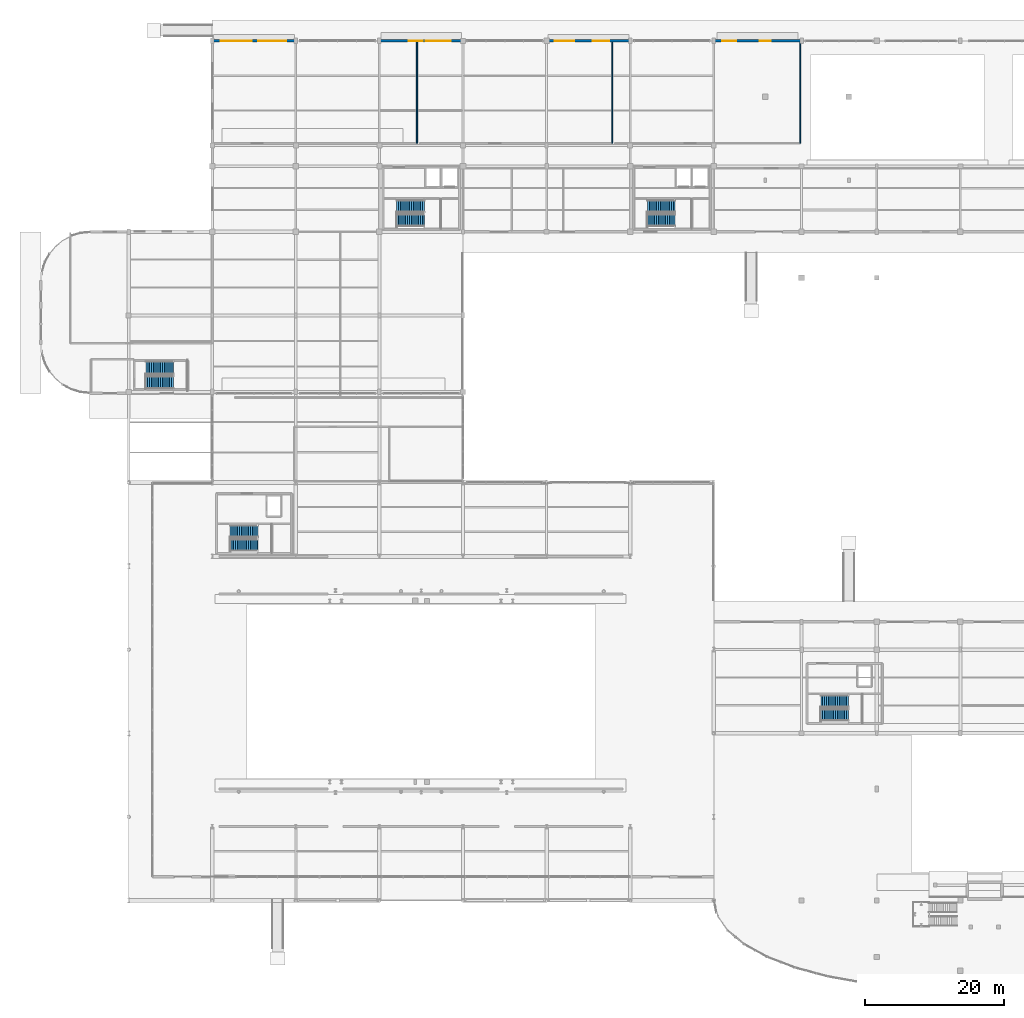
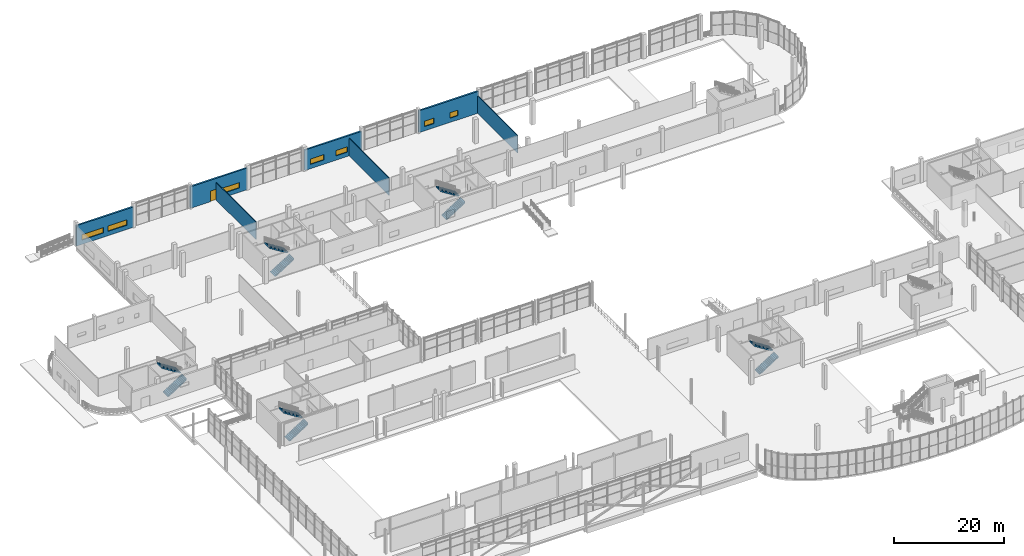
# One storey, part 67 of 85: 10 stair flights, 7 walls, 7 windows, 1 door, 8 openings, 5 elements without a shape of their own.
"""IFC4 building model written with IfcOpenShell, lengths in metres."""

from ifc_helpers import new_model, si_unit, direction, frame, frame_2d, origin, place, context, subcontext, project, spatial, polyline, rectangle, outline, extrude, material, layer, layer_set, type_object, element, fill, aggregate, save


model = new_model("IFC4")

# Units and contexts
model_context = context("Model", 3, precision=1e-05, world=origin(), true_north=direction((0.0, 1.0)))
body_context = subcontext(model_context, "Body", "Model", "MODEL_VIEW")
ifc_project = project(units=[si_unit("LENGTHUNIT", "METRE"), si_unit("AREAUNIT", "SQUARE_METRE"), si_unit("VOLUMEUNIT", "CUBIC_METRE"), si_unit("PLANEANGLEUNIT", "RADIAN"), si_unit("MASSUNIT", "GRAM", prefix="KILO"), si_unit("THERMODYNAMICTEMPERATUREUNIT", "KELVIN"), si_unit("POWERUNIT", "WATT")], contexts=[model_context])

# Site, building, storey
site_placement = place(None, origin())
site = spatial("IfcSite", under=ifc_project, at=site_placement, CompositionType="ELEMENT")
building_placement = place(site_placement, origin())
building = spatial("IfcBuilding", under=site, at=building_placement, Name="Solmara Park Aquatics Centre", CompositionType="ELEMENT")
storey_placement = place(building_placement, origin())
storey = spatial("IfcBuildingStorey", under=building, at=storey_placement, Name="L00", CompositionType="ELEMENT", Elevation=0.0)

# Wall, openings, windows
ifc_material_1 = material(Name="Insulated Limestone Render Wall", Category="masonry")
ifc_layer_1 = layer(ifc_material_1, 0.35009765625, Name="Insulated Limestone Render Wall")
ifc_layer_set_1 = layer_set([ifc_layer_1], Name="Insulated Limestone Render Wall")
wall_type_1 = type_object("IfcWallType", Name="ARC-WL-EXT350", PredefinedType="SOLIDWALL", material=ifc_layer_set_1)
wall_1_placement = place(storey_placement, frame((24.60009765625, 136.0, 0.0), z_axis=(0.0, 0.0, 1.0), x_axis=(1.0, 0.0, 0.0)))
wall_1 = element("IfcWall", 1, at=wall_1_placement, inside=storey, type_object=wall_type_1, Name="Exterior Facade Wall EW-L00-017", PredefinedType="SOLIDWALL", context=body_context, shape_type="SweptSolid", body=[
    extrude(rectangle(XDim=12.0, YDim=0.35009765625, at=frame_2d((6.0, 0.0))), origin(), (0.0, 0.0, 1.0), 4.530029296875),
])
opening_1_placement = place(wall_1_placement, frame((1.199951171875, 0.0, 0.949951171875)))
opening_1 = element("IfcOpeningElement", 2, at=opening_1_placement, cuts=wall_1, Name="Opening W-01", PredefinedType="OPENING", context=body_context, shape_type="SweptSolid", body=[
    extrude(rectangle(XDim=4.5, YDim=1.199951171875, at=frame_2d((2.25, 0.60009765625))), frame((0.0, 0.18505859375, 0.0), z_axis=(0.0, -1.0, 0.0), x_axis=(1.0, 0.0, 0.0)), (0.0, 0.0, 1.0), 0.3701171875),
])
opening_2_placement = place(wall_1_placement, frame((6.60009765625, 0.0, 0.949951171875)))
opening_2 = element("IfcOpeningElement", 3, at=opening_2_placement, cuts=wall_1, Name="Opening W-02", PredefinedType="OPENING", context=body_context, shape_type="SweptSolid", body=[
    extrude(rectangle(XDim=4.0, YDim=1.199951171875, at=frame_2d((2.0, 0.60009765625))), frame((0.0, 0.18505859375, 0.0), z_axis=(0.0, -1.0, 0.0), x_axis=(1.0, 0.0, 0.0)), (0.0, 0.0, 1.0), 0.3701171875),
])
ifc_material_2 = material(Name="Thermally Broken Aluminium and Low-E Double Glazing", Category="aluminium")
window_type_1 = type_object("IfcWindowType", Name="ARC-WN-400x120", PartitioningType="TRIPLE_PANEL_HORIZONTAL", PredefinedType="WINDOW", material=ifc_material_2)
window_1_placement = place(opening_2_placement, origin())
window_1 = element("IfcWindow", 4, at=window_1_placement, inside=storey, type_object=window_type_1, Name="Ribbon Window WN-042", OverallHeight=1.199951171875, OverallWidth=4.0, PartitioningType="TRIPLE_PANEL_HORIZONTAL", PredefinedType="WINDOW", context=body_context, shape_type="SweptSolid", body=[
    extrude(rectangle(XDim=4.0, YDim=1.199951171875, at=frame_2d((2.0, 0.60009765625))), frame((0.0, 0.030029296875, 0.0), z_axis=(0.0, -1.0, 0.0), x_axis=(1.0, 0.0, 0.0)), (0.0, 0.0, 1.0), 0.06005859375),
])
fill(opening_2, window_1)
window_type_2 = type_object("IfcWindowType", Name="ARC-WN-450x120", PartitioningType="TRIPLE_PANEL_HORIZONTAL", PredefinedType="WINDOW", material=ifc_material_2)
window_2_placement = place(opening_1_placement, origin())
window_2 = element("IfcWindow", 5, at=window_2_placement, inside=storey, type_object=window_type_2, Name="Ribbon Window WN-041", OverallHeight=1.199951171875, OverallWidth=4.5, PartitioningType="TRIPLE_PANEL_HORIZONTAL", PredefinedType="WINDOW", context=body_context, shape_type="SweptSolid", body=[
    extrude(rectangle(XDim=4.5, YDim=1.199951171875, at=frame_2d((2.25, 0.60009765625))), frame((0.0, 0.030029296875, 0.0), z_axis=(0.0, -1.0, 0.0), x_axis=(1.0, 0.0, 0.0)), (0.0, 0.0, 1.0), 0.06005859375),
])
fill(opening_1, window_2)

# Wall, openings, door, window
wall_2_placement = place(storey_placement, frame((48.60009765625, 136.0, 0.0), z_axis=(0.0, 0.0, 1.0), x_axis=(1.0, 0.0, 0.0)))
wall_2 = element("IfcWall", 6, at=wall_2_placement, inside=storey, type_object=wall_type_1, Name="Exterior Facade Wall EW-L00-018", PredefinedType="SOLIDWALL", context=body_context, shape_type="SweptSolid", body=[
    extrude(rectangle(XDim=12.0, YDim=0.35009765625, at=frame_2d((6.0, 0.0))), origin(), (0.0, 0.0, 1.0), 4.7900390625),
])
opening_3_placement = place(wall_2_placement, frame((4.199951171875, 0.0, 0.0)))
opening_3 = element("IfcOpeningElement", 7, at=opening_3_placement, cuts=wall_2, Name="Opening D-02", PredefinedType="OPENING", context=body_context, shape_type="SweptSolid", body=[
    extrude(rectangle(XDim=2.0, YDim=2.39990234375, at=frame_2d((1.0, 1.199951171875))), frame((0.0, 0.18505859375, 0.0), z_axis=(0.0, -1.0, 0.0), x_axis=(1.0, 0.0, 0.0)), (0.0, 0.0, 1.0), 0.3701171875),
])
opening_4_placement = place(wall_2_placement, frame((6.64990234375, 0.0, 0.949951171875)))
opening_4 = element("IfcOpeningElement", 8, at=opening_4_placement, cuts=wall_2, Name="Opening W-03", PredefinedType="OPENING", context=body_context, shape_type="SweptSolid", body=[
    extrude(rectangle(XDim=3.60009765625, YDim=1.199951171875, at=frame_2d((1.800048828125, 0.60009765625))), frame((0.0, 0.18505859375, 0.0), z_axis=(0.0, -1.0, 0.0), x_axis=(1.0, 0.0, 0.0)), (0.0, 0.0, 1.0), 0.3701171875),
])
ifc_material_3 = material(Name="Thermally Broken Powder-Coated Aluminium and Laminated Glass", Category="aluminium")
door_type = type_object("IfcDoorType", Name="ARC-DR-EXT200x240", OperationType="DOUBLE_DOOR_SINGLE_SWING", PredefinedType="DOOR", material=ifc_material_3)
door_placement = place(opening_3_placement, origin())
door = element("IfcDoor", 9, at=door_placement, inside=storey, type_object=door_type, Name="North Boulevard CORE-1 Final Exit (EX-15)", OperationType="DOUBLE_DOOR_SINGLE_SWING", OverallHeight=2.39990234375, OverallWidth=2.0, PredefinedType="DOOR", context=body_context, shape_type="SweptSolid", body=[
    extrude(rectangle(XDim=2.0, YDim=2.39990234375, at=frame_2d((1.0, 1.199951171875))), frame((0.0, 0.02490234375, 0.0), z_axis=(0.0, -1.0, 0.0), x_axis=(1.0, 0.0, 0.0)), (0.0, 0.0, 1.0), 0.050048828125),
])
fill(opening_3, door)
window_type_3 = type_object("IfcWindowType", Name="ARC-WN-360x120", PartitioningType="TRIPLE_PANEL_HORIZONTAL", PredefinedType="WINDOW", material=ifc_material_2)
window_3_placement = place(opening_4_placement, origin())
window_3 = element("IfcWindow", 10, at=window_3_placement, inside=storey, type_object=window_type_3, Name="Ribbon Window WN-043", OverallHeight=1.199951171875, OverallWidth=3.60009765625, PartitioningType="TRIPLE_PANEL_HORIZONTAL", PredefinedType="WINDOW", context=body_context, shape_type="SweptSolid", body=[
    extrude(rectangle(XDim=3.60009765625, YDim=1.199951171875, at=frame_2d((1.800048828125, 0.60009765625))), frame((0.0, 0.030029296875, 0.0), z_axis=(0.0, -1.0, 0.0), x_axis=(1.0, 0.0, 0.0)), (0.0, 0.0, 1.0), 0.06005859375),
])
fill(opening_4, window_3)

# Wall, openings, windows
wall_3_placement = place(storey_placement, frame((72.60009765625, 136.0, 0.0), z_axis=(0.0, 0.0, 1.0), x_axis=(1.0, 0.0, 0.0)))
wall_3 = element("IfcWall", 11, at=wall_3_placement, inside=storey, type_object=wall_type_1, Name="Exterior Facade Wall EW-L00-019", PredefinedType="SOLIDWALL", context=body_context, shape_type="SweptSolid", body=[
    extrude(rectangle(XDim=12.0, YDim=0.35009765625, at=frame_2d((6.0, 0.0))), origin(), (0.0, 0.0, 1.0), 4.530029296875),
])
opening_5_placement = place(wall_3_placement, frame((1.199951171875, 0.0, 0.949951171875)))
opening_5 = element("IfcOpeningElement", 12, at=opening_5_placement, cuts=wall_3, Name="Opening W-05", PredefinedType="OPENING", context=body_context, shape_type="SweptSolid", body=[
    extrude(rectangle(XDim=2.800048828125, YDim=1.199951171875, at=frame_2d((1.39990234375, 0.60009765625))), frame((0.0, 0.18505859375, 0.0), z_axis=(0.0, -1.0, 0.0), x_axis=(1.0, 0.0, 0.0)), (0.0, 0.0, 1.0), 0.3701171875),
])
opening_6_placement = place(wall_3_placement, frame((6.60009765625, 0.0, 0.949951171875)))
opening_6 = element("IfcOpeningElement", 13, at=opening_6_placement, cuts=wall_3, Name="Opening W-06", PredefinedType="OPENING", context=body_context, shape_type="SweptSolid", body=[
    extrude(rectangle(XDim=2.39990234375, YDim=1.199951171875, at=frame_2d((1.199951171875, 0.60009765625))), frame((0.0, 0.18505859375, 0.0), z_axis=(0.0, -1.0, 0.0), x_axis=(1.0, 0.0, 0.0)), (0.0, 0.0, 1.0), 0.3701171875),
])
window_type_4 = type_object("IfcWindowType", Name="ARC-WN-240x120", PartitioningType="DOUBLE_PANEL_HORIZONTAL", PredefinedType="WINDOW", material=ifc_material_2)
window_4_placement = place(opening_6_placement, origin())
window_4 = element("IfcWindow", 14, at=window_4_placement, inside=storey, type_object=window_type_4, Name="Ribbon Window WN-045", OverallHeight=1.199951171875, OverallWidth=2.39990234375, PartitioningType="DOUBLE_PANEL_HORIZONTAL", PredefinedType="WINDOW", context=body_context, shape_type="SweptSolid", body=[
    extrude(rectangle(XDim=2.39990234375, YDim=1.199951171875, at=frame_2d((1.199951171875, 0.60009765625))), frame((0.0, 0.030029296875, 0.0), z_axis=(0.0, -1.0, 0.0), x_axis=(1.0, 0.0, 0.0)), (0.0, 0.0, 1.0), 0.06005859375),
])
fill(opening_6, window_4)
window_type_5 = type_object("IfcWindowType", Name="ARC-WN-280x120", PartitioningType="DOUBLE_PANEL_HORIZONTAL", PredefinedType="WINDOW", material=ifc_material_2)
window_5_placement = place(opening_5_placement, origin())
window_5 = element("IfcWindow", 15, at=window_5_placement, inside=storey, type_object=window_type_5, Name="Ribbon Window WN-044", OverallHeight=1.199951171875, OverallWidth=2.800048828125, PartitioningType="DOUBLE_PANEL_HORIZONTAL", PredefinedType="WINDOW", context=body_context, shape_type="SweptSolid", body=[
    extrude(rectangle(XDim=2.800048828125, YDim=1.199951171875, at=frame_2d((1.39990234375, 0.60009765625))), frame((0.0, 0.030029296875, 0.0), z_axis=(0.0, -1.0, 0.0), x_axis=(1.0, 0.0, 0.0)), (0.0, 0.0, 1.0), 0.06005859375),
])
fill(opening_5, window_5)

wall_4_placement = place(storey_placement, frame((96.60009765625, 136.0, 0.0), z_axis=(0.0, 0.0, 1.0), x_axis=(1.0, 0.0, 0.0)))
wall_4 = element("IfcWall", 16, at=wall_4_placement, inside=storey, type_object=wall_type_1, Name="Exterior Facade Wall EW-L00-020", PredefinedType="SOLIDWALL", context=body_context, shape_type="SweptSolid", body=[
    extrude(rectangle(XDim=12.599853515625, YDim=0.35009765625, at=frame_2d((6.2998046875, 0.0))), origin(), (0.0, 0.0, 1.0), 4.840087890625),
])
opening_7_placement = place(wall_4_placement, frame((1.199951171875, 0.0, 0.949951171875)))
opening_7 = element("IfcOpeningElement", 17, at=opening_7_placement, cuts=wall_4, Name="Opening W-07", PredefinedType="OPENING", context=body_context, shape_type="SweptSolid", body=[
    extrude(rectangle(XDim=2.0, YDim=1.199951171875, at=frame_2d((1.0, 0.60009765625))), frame((0.0, 0.18505859375, 0.0), z_axis=(0.0, -1.0, 0.0), x_axis=(1.0, 0.0, 0.0)), (0.0, 0.0, 1.0), 0.3701171875),
])
opening_8_placement = place(wall_4_placement, frame((6.60009765625, 0.0, 0.949951171875)))
opening_8 = element("IfcOpeningElement", 18, at=opening_8_placement, cuts=wall_4, Name="Opening W-08", PredefinedType="OPENING", context=body_context, shape_type="SweptSolid", body=[
    extrude(rectangle(XDim=1.60009765625, YDim=1.199951171875, at=frame_2d((0.800048828125, 0.60009765625))), frame((0.0, 0.18505859375, 0.0), z_axis=(0.0, -1.0, 0.0), x_axis=(1.0, 0.0, 0.0)), (0.0, 0.0, 1.0), 0.3701171875),
])
window_type_6 = type_object("IfcWindowType", Name="ARC-WN-160x120", PartitioningType="SINGLE_PANEL", PredefinedType="WINDOW", material=ifc_material_2)
window_6_placement = place(opening_8_placement, origin())
window_6 = element("IfcWindow", 19, at=window_6_placement, inside=storey, type_object=window_type_6, Name="Ribbon Window WN-047", OverallHeight=1.199951171875, OverallWidth=1.60009765625, PartitioningType="SINGLE_PANEL", PredefinedType="WINDOW", context=body_context, shape_type="SweptSolid", body=[
    extrude(rectangle(XDim=1.60009765625, YDim=1.199951171875, at=frame_2d((0.800048828125, 0.60009765625))), frame((0.0, 0.030029296875, 0.0), z_axis=(0.0, -1.0, 0.0), x_axis=(1.0, 0.0, 0.0)), (0.0, 0.0, 1.0), 0.06005859375),
])
fill(opening_8, window_6)
window_type_7 = type_object("IfcWindowType", Name="ARC-WN-200x120", PartitioningType="DOUBLE_PANEL_VERTICAL", PredefinedType="WINDOW", material=ifc_material_2)
window_7_placement = place(opening_7_placement, origin())
window_7 = element("IfcWindow", 20, at=window_7_placement, inside=storey, type_object=window_type_7, Name="Ribbon Window WN-046", OverallHeight=1.199951171875, OverallWidth=2.0, PartitioningType="DOUBLE_PANEL_VERTICAL", PredefinedType="WINDOW", context=body_context, shape_type="SweptSolid", body=[
    extrude(rectangle(XDim=2.0, YDim=1.199951171875, at=frame_2d((1.0, 0.60009765625))), frame((0.0, 0.030029296875, 0.0), z_axis=(0.0, -1.0, 0.0), x_axis=(1.0, 0.0, 0.0)), (0.0, 0.0, 1.0), 0.06005859375),
])
fill(opening_7, window_7)

# Walls
ifc_material_4 = material(Name="Cement-Rendered Masonry Partition", Category="masonry")
ifc_layer_2 = layer(ifc_material_4, 0.14990234375, Name="Cement-Rendered Masonry Partition")
ifc_layer_set_2 = layer_set([ifc_layer_2], Name="Cement-Rendered Masonry Partition")
wall_type_2 = type_object("IfcWallType", Name="ARC-WL-MAS150", PredefinedType="PARTITIONING", material=ifc_layer_set_2)
wall_5_placement = place(storey_placement, frame((109.0, 121.300048828125, 0.0), z_axis=(0.0, 0.0, 1.0), x_axis=(0.0, 1.0, 0.0)))
element("IfcWall", 21, at=wall_5_placement, inside=storey, type_object=wall_type_2, Name="Interior Partition IW-L00-0078 (L00-TRN-01)", PredefinedType="PARTITIONING", context=body_context, shape_type="SweptSolid", body=[
    extrude(rectangle(XDim=14.52490234375, YDim=0.14990234375, at=frame_2d((7.262451171875, 0.0))), origin(), (0.0, 0.0, 1.0), 3.89990234375),
])
ifc_material_5 = material(Name="Waterproof Tile-Faced Wet-Area Plumbing Wall", Category="concrete")
ifc_layer_3 = layer(ifc_material_5, 0.159912109375, Name="Waterproof Tile-Faced Wet-Area Plumbing Wall")
ifc_layer_set_3 = layer_set([ifc_layer_3], Name="Waterproof Tile-Faced Wet-Area Plumbing Wall")
wall_type_3 = type_object("IfcWallType", Name="ARC-WL-WET160", PredefinedType="PLUMBINGWALL", material=ifc_layer_set_3)
for number, where, z_axis, x_axis, name in (
    (22, (54.0, 121.300048828125, 0.0), (0.0, 0.0, 1.0), (0.0, 1.0, 0.0), "Interior Partition IW-L00-0074 (L00-SPA-01)"),
    (23, (82.0, 121.300048828125, 0.0), (0.0, 0.0, 1.0), (0.0, 1.0, 0.0), "Interior Partition IW-L00-0076 (L00-SPA-02)"),
):
    element("IfcWall", number, at=place(storey_placement, frame(where, z_axis=z_axis, x_axis=x_axis)), inside=storey, type_object=wall_type_3, Name=name, PredefinedType="PLUMBINGWALL", context=body_context, shape_type="SweptSolid", body=[
        extrude(rectangle(XDim=14.52490234375, YDim=0.159912109375, at=frame_2d((7.262451171875, 0.0))), origin(), (0.0, 0.0, 1.0), 3.89990234375),
    ])

# Stair, stair flights
ifc_material_6 = material(Name="Concrete C40/50", Category="concrete")
stair_type_1 = type_object("IfcStairType", Name="ARC-ST-CORE", PredefinedType="HALF_TURN_STAIR", material=ifc_material_6)
stair_1_placement = place(storey_placement, origin())
stair_1 = element("IfcStair", 24, at=stair_1_placement, inside=storey, type_object=stair_type_1, Name="ST-01 Protected Exit Stair (L00 to L01)", PredefinedType="HALF_TURN_STAIR")
ifc_layer_4 = layer(ifc_material_6, 0.179931640625, Name="Concrete C40/50")
ifc_layer_set_4 = layer_set([ifc_layer_4], Name="Concrete C40/50")
stair_flight_type_1 = type_object("IfcStairFlightType", Name="ARC-STF-01", PredefinedType="STRAIGHT", material=ifc_layer_set_4)
stair_flight_1_placement = place(storey_placement, frame((51.050048828125, 110.235107421875, 0.0), z_axis=(0.0, 0.0, 1.0), x_axis=(1.0, 0.0, 0.0)))
stair_flight_1 = element("IfcStairFlight", 25, at=stair_flight_1_placement, type_object=stair_flight_type_1, Name="ST-01 flight 1", NumberOfRisers=16, NumberOfTreads=15, PredefinedType="STRAIGHT", RiserHeight=0.16875, TreadLength=0.265, context=body_context, shape_type="SweptSolid", body=[
    extrude(outline(polyline([(0.0, 0.0), (0.0, 0.168701171875), (0.264892578125, 0.168701171875), (0.264892578125, 0.33740234375), (0.530029296875, 0.33740234375), (0.530029296875, 0.50634765625), (0.794921875, 0.50634765625), (0.794921875, 0.675048828125), (1.06005859375, 0.675048828125), (1.06005859375, 0.84375), (1.324951171875, 0.84375), (1.324951171875, 1.012451171875), (1.590087890625, 1.012451171875), (1.590087890625, 1.18115234375), (1.85498046875, 1.18115234375), (1.85498046875, 1.35009765625), (2.1201171875, 1.35009765625), (2.1201171875, 1.518798828125), (2.385009765625, 1.518798828125), (2.385009765625, 1.6875), (2.64990234375, 1.6875), (2.64990234375, 1.856201171875), (2.9150390625, 1.856201171875), (2.9150390625, 2.02490234375), (3.179931640625, 2.02490234375), (3.179931640625, 2.19384765625), (3.445068359375, 2.19384765625), (3.445068359375, 2.362548828125), (3.7099609375, 2.362548828125), (3.7099609375, 2.53125), (3.97509765625, 2.53125), (3.97509765625, 2.699951171875), (3.9951171875, 2.699951171875), (3.9951171875, 2.31787109375), (0.35498046875, 0.0), (0.0, 0.0)])), frame((0.0, 0.864990234375, 0.0), z_axis=(0.0, -1.0, 0.0), x_axis=(1.0, 0.0, 0.0)), (0.0, 0.0, 1.0), 1.72998046875),
])
stair_flight_2_placement = place(storey_placement, frame((55.054931640625, 112.264892578125, 2.699951171875), z_axis=(0.0, 0.0, 1.0), x_axis=(-1.0, 0.0, 0.0)))
stair_flight_2 = element("IfcStairFlight", 26, at=stair_flight_2_placement, type_object=stair_flight_type_1, Name="ST-01 flight 2", NumberOfRisers=16, NumberOfTreads=15, PredefinedType="STRAIGHT", RiserHeight=0.16875, TreadLength=0.265, context=body_context, shape_type="SweptSolid", body=[
    extrude(outline(polyline([(0.0, 0.0), (0.0, 0.168701171875), (0.264892578125, 0.168701171875), (0.264892578125, 0.33740234375), (0.530029296875, 0.33740234375), (0.530029296875, 0.50634765625), (0.794921875, 0.50634765625), (0.794921875, 0.675048828125), (1.06005859375, 0.675048828125), (1.06005859375, 0.84375), (1.324951171875, 0.84375), (1.324951171875, 1.012451171875), (1.590087890625, 1.012451171875), (1.590087890625, 1.18115234375), (1.85498046875, 1.18115234375), (1.85498046875, 1.35009765625), (2.1201171875, 1.35009765625), (2.1201171875, 1.518798828125), (2.385009765625, 1.518798828125), (2.385009765625, 1.6875), (2.64990234375, 1.6875), (2.64990234375, 1.856201171875), (2.9150390625, 1.856201171875), (2.9150390625, 2.02490234375), (3.179931640625, 2.02490234375), (3.179931640625, 2.19384765625), (3.445068359375, 2.19384765625), (3.445068359375, 2.362548828125), (3.7099609375, 2.362548828125), (3.7099609375, 2.53125), (3.97509765625, 2.53125), (3.97509765625, 2.699951171875), (3.9951171875, 2.699951171875), (3.9951171875, 2.31787109375), (0.35498046875, 0.0), (0.0, 0.0)])), frame((0.0, 0.864990234375, 0.0), z_axis=(0.0, -1.0, 0.0), x_axis=(1.0, 0.0, 0.0)), (0.0, 0.0, 1.0), 1.72998046875),
])
aggregate(stair_1, [stair_flight_1, stair_flight_2])

stair_2_placement = place(storey_placement, origin())
stair_2 = element("IfcStair", 27, at=stair_2_placement, inside=storey, type_object=stair_type_1, Name="ST-02 Protected Exit Stair (L00 to L01)", PredefinedType="HALF_TURN_STAIR")
stair_flight_3_placement = place(storey_placement, frame((87.050048828125, 110.235107421875, 0.0), z_axis=(0.0, 0.0, 1.0), x_axis=(1.0, 0.0, 0.0)))
stair_flight_3 = element("IfcStairFlight", 28, at=stair_flight_3_placement, type_object=stair_flight_type_1, Name="ST-02 flight 1", NumberOfRisers=16, NumberOfTreads=15, PredefinedType="STRAIGHT", RiserHeight=0.16875, TreadLength=0.265, context=body_context, shape_type="SweptSolid", body=[
    extrude(outline(polyline([(0.0, 0.0), (0.0, 0.168701171875), (0.264892578125, 0.168701171875), (0.264892578125, 0.33740234375), (0.530029296875, 0.33740234375), (0.530029296875, 0.50634765625), (0.794921875, 0.50634765625), (0.794921875, 0.675048828125), (1.06005859375, 0.675048828125), (1.06005859375, 0.84375), (1.324951171875, 0.84375), (1.324951171875, 1.012451171875), (1.590087890625, 1.012451171875), (1.590087890625, 1.18115234375), (1.85498046875, 1.18115234375), (1.85498046875, 1.35009765625), (2.1201171875, 1.35009765625), (2.1201171875, 1.518798828125), (2.385009765625, 1.518798828125), (2.385009765625, 1.6875), (2.64990234375, 1.6875), (2.64990234375, 1.856201171875), (2.9150390625, 1.856201171875), (2.9150390625, 2.02490234375), (3.179931640625, 2.02490234375), (3.179931640625, 2.19384765625), (3.445068359375, 2.19384765625), (3.445068359375, 2.362548828125), (3.7099609375, 2.362548828125), (3.7099609375, 2.53125), (3.97509765625, 2.53125), (3.97509765625, 2.699951171875), (3.9951171875, 2.699951171875), (3.9951171875, 2.31787109375), (0.35498046875, 0.0), (0.0, 0.0)])), frame((0.0, 0.864990234375, 0.0), z_axis=(0.0, -1.0, 0.0), x_axis=(1.0, 0.0, 0.0)), (0.0, 0.0, 1.0), 1.72998046875),
])
stair_flight_4_placement = place(storey_placement, frame((91.054931640625, 112.264892578125, 2.699951171875), z_axis=(0.0, 0.0, 1.0), x_axis=(-1.0, 0.0, 0.0)))
stair_flight_4 = element("IfcStairFlight", 29, at=stair_flight_4_placement, type_object=stair_flight_type_1, Name="ST-02 flight 2", NumberOfRisers=16, NumberOfTreads=15, PredefinedType="STRAIGHT", RiserHeight=0.16875, TreadLength=0.265, context=body_context, shape_type="SweptSolid", body=[
    extrude(outline(polyline([(0.0, 0.0), (0.0, 0.168701171875), (0.264892578125, 0.168701171875), (0.264892578125, 0.33740234375), (0.530029296875, 0.33740234375), (0.530029296875, 0.50634765625), (0.794921875, 0.50634765625), (0.794921875, 0.675048828125), (1.06005859375, 0.675048828125), (1.06005859375, 0.84375), (1.324951171875, 0.84375), (1.324951171875, 1.012451171875), (1.590087890625, 1.012451171875), (1.590087890625, 1.18115234375), (1.85498046875, 1.18115234375), (1.85498046875, 1.35009765625), (2.1201171875, 1.35009765625), (2.1201171875, 1.518798828125), (2.385009765625, 1.518798828125), (2.385009765625, 1.6875), (2.64990234375, 1.6875), (2.64990234375, 1.856201171875), (2.9150390625, 1.856201171875), (2.9150390625, 2.02490234375), (3.179931640625, 2.02490234375), (3.179931640625, 2.19384765625), (3.445068359375, 2.19384765625), (3.445068359375, 2.362548828125), (3.7099609375, 2.362548828125), (3.7099609375, 2.53125), (3.97509765625, 2.53125), (3.97509765625, 2.699951171875), (3.9951171875, 2.699951171875), (3.9951171875, 2.31787109375), (0.35498046875, 0.0), (0.0, 0.0)])), frame((0.0, 0.864990234375, 0.0), z_axis=(0.0, -1.0, 0.0), x_axis=(1.0, 0.0, 0.0)), (0.0, 0.0, 1.0), 1.72998046875),
])
aggregate(stair_2, [stair_flight_3, stair_flight_4])

stair_type_2 = type_object("IfcStairType", Name="ARC-ST-ESC", PredefinedType="HALF_TURN_STAIR", material=ifc_material_6)
stair_3_placement = place(storey_placement, origin())
stair_3 = element("IfcStair", 30, at=stair_3_placement, inside=storey, type_object=stair_type_2, Name="West Changing Escape Stair ST-08 (L00-L01)", PredefinedType="HALF_TURN_STAIR")
ifc_layer_5 = layer(ifc_material_6, 0.179931640625, Name="Concrete C40/50")
ifc_layer_set_5 = layer_set([ifc_layer_5], Name="Concrete C40/50")
stair_flight_type_2 = type_object("IfcStairFlightType", Name="ARC-STF-02", PredefinedType="STRAIGHT", material=ifc_layer_set_5)
stair_flight_5_placement = place(storey_placement, frame((15.050048828125, 86.9599609375, 0.0), z_axis=(0.0, 0.0, 1.0), x_axis=(1.0, 0.0, 0.0)))
stair_flight_5 = element("IfcStairFlight", 31, at=stair_flight_5_placement, type_object=stair_flight_type_2, Name="ST-08 flight 1", NumberOfRisers=16, NumberOfTreads=15, PredefinedType="STRAIGHT", RiserHeight=0.16875, TreadLength=0.265, context=body_context, shape_type="SweptSolid", body=[
    extrude(outline(polyline([(0.0, 0.0), (0.0, 0.168701171875), (0.264892578125, 0.168701171875), (0.264892578125, 0.33740234375), (0.530029296875, 0.33740234375), (0.530029296875, 0.50634765625), (0.794921875, 0.50634765625), (0.794921875, 0.675048828125), (1.06005859375, 0.675048828125), (1.06005859375, 0.84375), (1.324951171875, 0.84375), (1.324951171875, 1.012451171875), (1.590087890625, 1.012451171875), (1.590087890625, 1.18115234375), (1.85498046875, 1.18115234375), (1.85498046875, 1.35009765625), (2.1201171875, 1.35009765625), (2.1201171875, 1.518798828125), (2.385009765625, 1.518798828125), (2.385009765625, 1.6875), (2.64990234375, 1.6875), (2.64990234375, 1.856201171875), (2.9150390625, 1.856201171875), (2.9150390625, 2.02490234375), (3.179931640625, 2.02490234375), (3.179931640625, 2.19384765625), (3.445068359375, 2.19384765625), (3.445068359375, 2.362548828125), (3.7099609375, 2.362548828125), (3.7099609375, 2.53125), (3.97509765625, 2.53125), (3.97509765625, 2.699951171875), (3.9951171875, 2.699951171875), (3.9951171875, 2.31787109375), (0.35498046875, 0.0), (0.0, 0.0)])), frame((0.0, 0.89990234375, 0.0), z_axis=(0.0, -1.0, 0.0), x_axis=(1.0, 0.0, 0.0)), (0.0, 0.0, 1.0), 1.800048828125),
])
stair_flight_6_placement = place(storey_placement, frame((19.054931640625, 89.080078125, 2.699951171875), z_axis=(0.0, 0.0, 1.0), x_axis=(-1.0, 0.0, 0.0)))
stair_flight_6 = element("IfcStairFlight", 32, at=stair_flight_6_placement, type_object=stair_flight_type_2, Name="ST-08 flight 2", NumberOfRisers=16, NumberOfTreads=15, PredefinedType="STRAIGHT", RiserHeight=0.16875, TreadLength=0.265, context=body_context, shape_type="SweptSolid", body=[
    extrude(outline(polyline([(0.0, 0.0), (0.0, 0.168701171875), (0.264892578125, 0.168701171875), (0.264892578125, 0.33740234375), (0.530029296875, 0.33740234375), (0.530029296875, 0.50634765625), (0.794921875, 0.50634765625), (0.794921875, 0.675048828125), (1.06005859375, 0.675048828125), (1.06005859375, 0.84375), (1.324951171875, 0.84375), (1.324951171875, 1.012451171875), (1.590087890625, 1.012451171875), (1.590087890625, 1.18115234375), (1.85498046875, 1.18115234375), (1.85498046875, 1.35009765625), (2.1201171875, 1.35009765625), (2.1201171875, 1.518798828125), (2.385009765625, 1.518798828125), (2.385009765625, 1.6875), (2.64990234375, 1.6875), (2.64990234375, 1.856201171875), (2.9150390625, 1.856201171875), (2.9150390625, 2.02490234375), (3.179931640625, 2.02490234375), (3.179931640625, 2.19384765625), (3.445068359375, 2.19384765625), (3.445068359375, 2.362548828125), (3.7099609375, 2.362548828125), (3.7099609375, 2.53125), (3.97509765625, 2.53125), (3.97509765625, 2.699951171875), (3.9951171875, 2.699951171875), (3.9951171875, 2.31787109375), (0.35498046875, 0.0), (0.0, 0.0)])), frame((0.0, 0.89990234375, 0.0), z_axis=(0.0, -1.0, 0.0), x_axis=(1.0, 0.0, 0.0)), (0.0, 0.0, 1.0), 1.800048828125),
])
aggregate(stair_3, [stair_flight_5, stair_flight_6])

stair_4_placement = place(storey_placement, origin())
stair_4 = element("IfcStair", 33, at=stair_4_placement, inside=storey, type_object=stair_type_1, Name="ST-03 Protected Exit Stair (L00 to L01)", PredefinedType="HALF_TURN_STAIR")
ifc_layer_6 = layer(ifc_material_6, 0.179931640625, Name="Concrete C40/50")
ifc_layer_set_6 = layer_set([ifc_layer_6], Name="Concrete C40/50")
stair_flight_type_3 = type_object("IfcStairFlightType", Name="ARC-STF-10", PredefinedType="STRAIGHT", material=ifc_layer_set_6)
stair_flight_7_placement = place(storey_placement, frame((111.949951171875, 39.2099609375, 0.0), z_axis=(0.0, 0.0, 1.0), x_axis=(1.0, 0.0, 0.0)))
stair_flight_7 = element("IfcStairFlight", 34, at=stair_flight_7_placement, type_object=stair_flight_type_3, Name="ST-03 flight 1", NumberOfRisers=16, NumberOfTreads=15, PredefinedType="STRAIGHT", RiserHeight=0.16875, TreadLength=0.265, context=body_context, shape_type="SweptSolid", body=[
    extrude(outline(polyline([(0.0, 0.0), (0.0, 0.168701171875), (0.264892578125, 0.168701171875), (0.264892578125, 0.33740234375), (0.530029296875, 0.33740234375), (0.530029296875, 0.50634765625), (0.794921875, 0.50634765625), (0.794921875, 0.675048828125), (1.06005859375, 0.675048828125), (1.06005859375, 0.84375), (1.324951171875, 0.84375), (1.324951171875, 1.012451171875), (1.590087890625, 1.012451171875), (1.590087890625, 1.18115234375), (1.85498046875, 1.18115234375), (1.85498046875, 1.35009765625), (2.1201171875, 1.35009765625), (2.1201171875, 1.518798828125), (2.385009765625, 1.518798828125), (2.385009765625, 1.6875), (2.64990234375, 1.6875), (2.64990234375, 1.856201171875), (2.9150390625, 1.856201171875), (2.9150390625, 2.02490234375), (3.179931640625, 2.02490234375), (3.179931640625, 2.19384765625), (3.445068359375, 2.19384765625), (3.445068359375, 2.362548828125), (3.7099609375, 2.362548828125), (3.7099609375, 2.53125), (3.97509765625, 2.53125), (3.97509765625, 2.699951171875), (3.9951171875, 2.699951171875), (3.9951171875, 2.31787109375), (0.35498046875, 0.0), (0.0, 0.0)])), frame((0.0, 0.83984375, 0.0), z_axis=(0.0, -1.0, 0.0), x_axis=(1.0, 0.0, 0.0)), (0.0, 0.0, 1.0), 1.679931640625),
])
stair_flight_8_placement = place(storey_placement, frame((115.955078125, 41.18994140625, 2.699951171875), z_axis=(0.0, 0.0, 1.0), x_axis=(-1.0, 0.0, 0.0)))
stair_flight_8 = element("IfcStairFlight", 35, at=stair_flight_8_placement, type_object=stair_flight_type_3, Name="ST-03 flight 2", NumberOfRisers=16, NumberOfTreads=15, PredefinedType="STRAIGHT", RiserHeight=0.16875, TreadLength=0.265, context=body_context, shape_type="SweptSolid", body=[
    extrude(outline(polyline([(0.0, 0.0), (0.0, 0.168701171875), (0.264892578125, 0.168701171875), (0.264892578125, 0.33740234375), (0.530029296875, 0.33740234375), (0.530029296875, 0.50634765625), (0.794921875, 0.50634765625), (0.794921875, 0.675048828125), (1.06005859375, 0.675048828125), (1.06005859375, 0.84375), (1.324951171875, 0.84375), (1.324951171875, 1.012451171875), (1.590087890625, 1.012451171875), (1.590087890625, 1.18115234375), (1.85498046875, 1.18115234375), (1.85498046875, 1.35009765625), (2.1201171875, 1.35009765625), (2.1201171875, 1.518798828125), (2.385009765625, 1.518798828125), (2.385009765625, 1.6875), (2.64990234375, 1.6875), (2.64990234375, 1.856201171875), (2.9150390625, 1.856201171875), (2.9150390625, 2.02490234375), (3.179931640625, 2.02490234375), (3.179931640625, 2.19384765625), (3.445068359375, 2.19384765625), (3.445068359375, 2.362548828125), (3.7099609375, 2.362548828125), (3.7099609375, 2.53125), (3.97509765625, 2.53125), (3.97509765625, 2.699951171875), (3.9951171875, 2.699951171875), (3.9951171875, 2.31787109375), (0.35498046875, 0.0), (0.0, 0.0)])), frame((0.0, 0.83984375, 0.0), z_axis=(0.0, -1.0, 0.0), x_axis=(1.0, 0.0, 0.0)), (0.0, 0.0, 1.0), 1.679931640625),
])
aggregate(stair_4, [stair_flight_7, stair_flight_8])

stair_5_placement = place(storey_placement, origin())
stair_5 = element("IfcStair", 36, at=stair_5_placement, inside=storey, type_object=stair_type_1, Name="ST-04 Protected Exit Stair (L00 to L01)", PredefinedType="HALF_TURN_STAIR")
stair_flight_9_placement = place(storey_placement, frame((27.14990234375, 63.610107421875, 0.0), z_axis=(0.0, 0.0, 1.0), x_axis=(1.0, 0.0, 0.0)))
stair_flight_9 = element("IfcStairFlight", 37, at=stair_flight_9_placement, type_object=stair_flight_type_3, Name="ST-04 flight 1", NumberOfRisers=16, NumberOfTreads=15, PredefinedType="STRAIGHT", RiserHeight=0.16875, TreadLength=0.265, context=body_context, shape_type="SweptSolid", body=[
    extrude(outline(polyline([(0.0, 0.0), (0.0, 0.168701171875), (0.264892578125, 0.168701171875), (0.264892578125, 0.33740234375), (0.530029296875, 0.33740234375), (0.530029296875, 0.50634765625), (0.794921875, 0.50634765625), (0.794921875, 0.675048828125), (1.06005859375, 0.675048828125), (1.06005859375, 0.84375), (1.324951171875, 0.84375), (1.324951171875, 1.012451171875), (1.590087890625, 1.012451171875), (1.590087890625, 1.18115234375), (1.85498046875, 1.18115234375), (1.85498046875, 1.35009765625), (2.1201171875, 1.35009765625), (2.1201171875, 1.518798828125), (2.385009765625, 1.518798828125), (2.385009765625, 1.6875), (2.64990234375, 1.6875), (2.64990234375, 1.856201171875), (2.9150390625, 1.856201171875), (2.9150390625, 2.02490234375), (3.179931640625, 2.02490234375), (3.179931640625, 2.19384765625), (3.445068359375, 2.19384765625), (3.445068359375, 2.362548828125), (3.7099609375, 2.362548828125), (3.7099609375, 2.53125), (3.97509765625, 2.53125), (3.97509765625, 2.699951171875), (3.9951171875, 2.699951171875), (3.9951171875, 2.31787109375), (0.35498046875, 0.0), (0.0, 0.0)])), frame((0.0, 0.83984375, 0.0), z_axis=(0.0, -1.0, 0.0), x_axis=(1.0, 0.0, 0.0)), (0.0, 0.0, 1.0), 1.679931640625),
])
stair_flight_10_placement = place(storey_placement, frame((31.155029296875, 65.590087890625, 2.699951171875), z_axis=(0.0, 0.0, 1.0), x_axis=(-1.0, 0.0, 0.0)))
stair_flight_10 = element("IfcStairFlight", 38, at=stair_flight_10_placement, type_object=stair_flight_type_3, Name="ST-04 flight 2", NumberOfRisers=16, NumberOfTreads=15, PredefinedType="STRAIGHT", RiserHeight=0.16875, TreadLength=0.265, context=body_context, shape_type="SweptSolid", body=[
    extrude(outline(polyline([(0.0, 0.0), (0.0, 0.168701171875), (0.264892578125, 0.168701171875), (0.264892578125, 0.33740234375), (0.530029296875, 0.33740234375), (0.530029296875, 0.50634765625), (0.794921875, 0.50634765625), (0.794921875, 0.675048828125), (1.06005859375, 0.675048828125), (1.06005859375, 0.84375), (1.324951171875, 0.84375), (1.324951171875, 1.012451171875), (1.590087890625, 1.012451171875), (1.590087890625, 1.18115234375), (1.85498046875, 1.18115234375), (1.85498046875, 1.35009765625), (2.1201171875, 1.35009765625), (2.1201171875, 1.518798828125), (2.385009765625, 1.518798828125), (2.385009765625, 1.6875), (2.64990234375, 1.6875), (2.64990234375, 1.856201171875), (2.9150390625, 1.856201171875), (2.9150390625, 2.02490234375), (3.179931640625, 2.02490234375), (3.179931640625, 2.19384765625), (3.445068359375, 2.19384765625), (3.445068359375, 2.362548828125), (3.7099609375, 2.362548828125), (3.7099609375, 2.53125), (3.97509765625, 2.53125), (3.97509765625, 2.699951171875), (3.9951171875, 2.699951171875), (3.9951171875, 2.31787109375), (0.35498046875, 0.0), (0.0, 0.0)])), frame((0.0, 0.83984375, 0.0), z_axis=(0.0, -1.0, 0.0), x_axis=(1.0, 0.0, 0.0)), (0.0, 0.0, 1.0), 1.679931640625),
])
aggregate(stair_5, [stair_flight_9, stair_flight_10])

save(model, "model.ifc")
